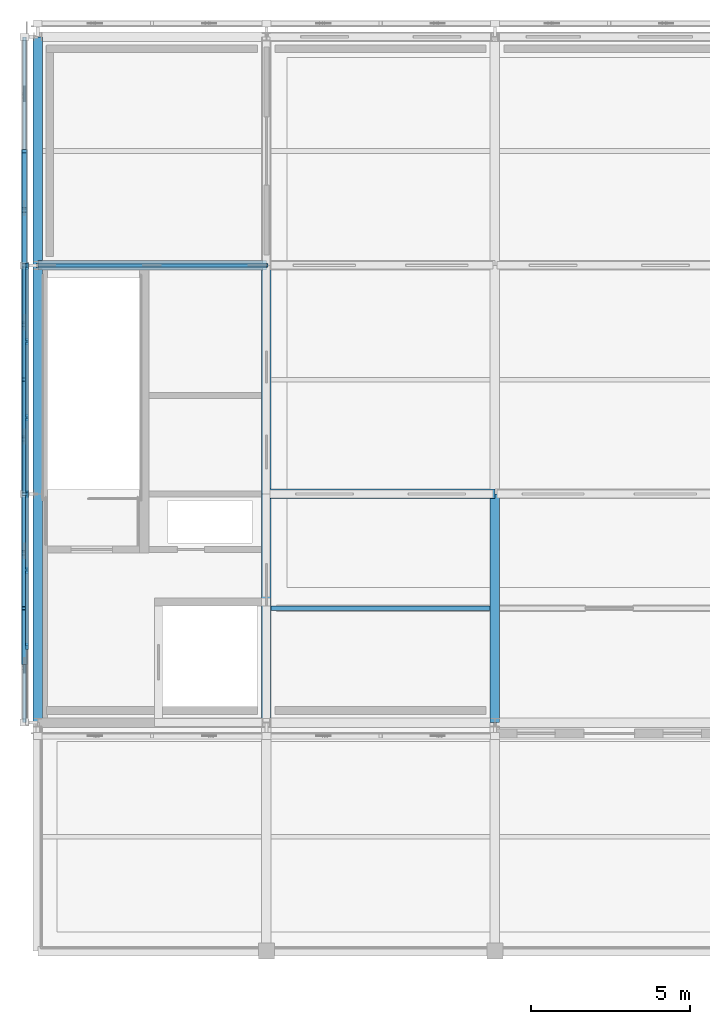
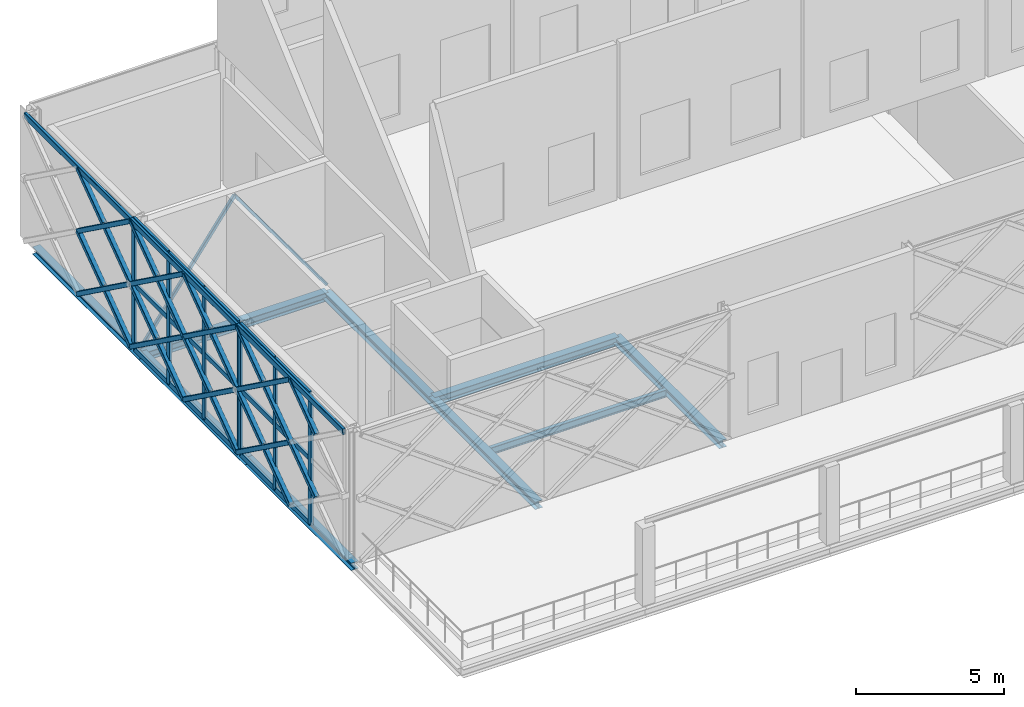
# One storey, part 14 of 31: 53 members, 9 beams, 2 elements without a shape of their own.
"""IFC4 building model written with IfcOpenShell, lengths in metres."""

from ifc_helpers import new_model, si_unit, direction, frame, origin, origin_2d, place, context, subcontext, project, spatial, rectangle, hollow_rectangle, i_section, extrude, material, material_profile, profile_set, type_object, element, aggregate, save


model = new_model("IFC4")

# Units and contexts
model_context = context("Model", 3, precision=1e-05, world=origin(), true_north=direction((0.0, 1.0)))
body_context = subcontext(model_context, "Body", "Model", "MODEL_VIEW")
ifc_project = project(units=[si_unit("LENGTHUNIT", "METRE"), si_unit("AREAUNIT", "SQUARE_METRE"), si_unit("VOLUMEUNIT", "CUBIC_METRE"), si_unit("PLANEANGLEUNIT", "RADIAN"), si_unit("MASSUNIT", "GRAM", prefix="KILO")], contexts=[model_context])

# Site, building, storey
site_placement = place(None, origin())
site = spatial("IfcSite", under=ifc_project, at=site_placement, CompositionType="ELEMENT")
building_placement = place(site_placement, origin())
building = spatial("IfcBuilding", under=site, at=building_placement, Name="Zlatovets Crest Museum", CompositionType="ELEMENT")
storey_placement = place(building_placement, frame((0.0, 0.0, 25.199951171875)))
storey = spatial("IfcBuildingStorey", under=building, at=storey_placement, Name="L05", CompositionType="ELEMENT", Elevation=25.199951171875)

# Beams
ifc_material_1 = material(Name="Structural steel S355J2", Category="steel")
ifc_material_profile_1 = material_profile(ifc_material_1, i_section(OverallWidth=0.300048828125, OverallDepth=0.35009765625, WebThickness=0.010009765625, FlangeThickness=0.017578125, FilletRadius=0.027099609375, at=origin_2d()), Name="HEA 360")
ifc_profile_set_1 = profile_set([ifc_material_profile_1], Name="Structural steel S355J2")
beam_type_1 = type_object("IfcBeamType", Name="Beam_B-03", PredefinedType="BEAM", material=ifc_profile_set_1)
for number, where, z_axis, x_axis, name in (
    (1, (64.800048828125, 100.800048828125, -0.4150390625), (1.0, 0.0, 0.0), (0.0, 1.0, 0.0), "V1 L05 Primary Girder B-03"),
    (2, (57.60009765625, 108.0, -0.4150390625), (1.0, 0.0, 0.0), (0.0, 1.0, 0.0), "V1 L05 Primary Girder B-03"),
):
    element("IfcBeam", number, at=place(storey_placement, frame(where, z_axis=z_axis, x_axis=x_axis)), inside=storey, type_object=beam_type_1, Name=name, PredefinedType="BEAM", context=body_context, shape_type="SweptSolid", body=[
        extrude(i_section(OverallWidth=0.300048828125, OverallDepth=0.35009765625, WebThickness=0.010009765625, FlangeThickness=0.017578125, FilletRadius=0.027099609375, at=origin_2d()), origin(), (0.0, 0.0, 1.0), 7.199951171875),
    ])
ifc_material_profile_2 = material_profile(ifc_material_1, i_section(OverallWidth=0.300048828125, OverallDepth=0.31005859375, WebThickness=0.009033203125, FlangeThickness=0.015380859375, FilletRadius=0.027099609375, at=origin_2d()), Name="HEA 320")
ifc_profile_set_2 = profile_set([ifc_material_profile_2], Name="Structural steel S355J2")
beam_type_2 = type_object("IfcBeamType", Name="Beam_B-04", PredefinedType="BEAM", material=ifc_profile_set_2)
for number, where, z_axis, x_axis, name in (
    (3, (57.60009765625, 93.60009765625, -0.39501953125), (0.0, 1.0, 0.0), (-1.0, 0.0, 0.0), "V1 L05 Grid Beam B-04"),
    (4, (57.60009765625, 100.800048828125, -0.39501953125), (0.0, 1.0, 0.0), (-1.0, 0.0, 0.0), "V1 L05 Grid Beam B-04"),
    (5, (57.60009765625, 108.0, -0.39501953125), (0.0, 1.0, 0.0), (-1.0, 0.0, 0.0), "V1 L05 Grid Beam B-04"),
    (6, (64.800048828125, 93.60009765625, -0.39501953125), (0.0, 1.0, 0.0), (-1.0, 0.0, 0.0), "V1 L05 Grid Beam B-04"),
    (7, (64.800048828125, 100.800048828125, -0.39501953125), (0.0, 1.0, 0.0), (-1.0, 0.0, 0.0), "V1 L05 Grid Beam B-04"),
    (8, (72.0, 93.60009765625, -0.39501953125), (0.0, 1.0, 0.0), (-1.0, 0.0, 0.0), "V1 L05 Grid Beam B-04"),
):
    element("IfcBeam", number, at=place(storey_placement, frame(where, z_axis=z_axis, x_axis=x_axis)), inside=storey, type_object=beam_type_2, Name=name, PredefinedType="BEAM", context=body_context, shape_type="SweptSolid", body=[
        extrude(i_section(OverallWidth=0.300048828125, OverallDepth=0.31005859375, WebThickness=0.009033203125, FlangeThickness=0.015380859375, FilletRadius=0.027099609375, at=origin_2d()), origin(), (0.0, 0.0, 1.0), 7.199951171875),
    ])
ifc_material_profile_3 = material_profile(ifc_material_1, i_section(OverallWidth=0.14990234375, OverallDepth=0.300048828125, WebThickness=0.007080078125, FlangeThickness=0.0107421875, FilletRadius=0.014892578125, at=origin_2d()), Name="IPE 300")
ifc_profile_set_3 = profile_set([ifc_material_profile_3], Name="Structural steel S355J2")
beam_type_3 = type_object("IfcBeamType", Name="Beam_J-02", PredefinedType="JOIST", material=ifc_profile_set_3)
beam_placement = place(storey_placement, frame((64.949951171875, 97.199951171875, -0.389892578125), z_axis=(1.0, 0.0, 0.0), x_axis=(0.0, 1.0, 0.0)))
element("IfcBeam", 9, at=beam_placement, inside=storey, type_object=beam_type_3, Name="V1 L05 Composite Joist J-02", PredefinedType="JOIST", context=body_context, shape_type="SweptSolid", body=[
    extrude(i_section(OverallWidth=0.14990234375, OverallDepth=0.300048828125, WebThickness=0.007080078125, FlangeThickness=0.0107421875, FilletRadius=0.014892578125, at=origin_2d()), origin(), (0.0, 0.0, 1.0), 6.900146484375),
])

# Curtain wall, members
ifc_material_2 = material(Name="Bronze-anodised aluminium and low-E triple glass", Category="aluminium")
curtain_wall_type_1 = type_object("IfcCurtainWallType", Name="CW_CW-V1-L05-M2", PredefinedType="NOTDEFINED", material=ifc_material_2)
curtain_wall_1_placement = place(storey_placement, origin())
curtain_wall_1 = element("IfcCurtainWall", 10, at=curtain_wall_1_placement, inside=storey, type_object=curtain_wall_type_1, Name="V1 L05 Expressed Core Glazed Facade", PredefinedType="NOTDEFINED")
ifc_material_3 = material(Name="Bronze-anodised aluminium EN AW-6060", Category="aluminium")
ifc_material_profile_4 = material_profile(ifc_material_3, rectangle(XDim=0.090087890625, YDim=0.199951171875, at=origin_2d()), Name="ALU 90x200")
ifc_profile_set_4 = profile_set([ifc_material_profile_4], Name="Bronze-anodised aluminium EN AW-6060")
member_type_1 = type_object("IfcMemberType", Name="CWMull_M2", PredefinedType="MULLION", material=ifc_profile_set_4)
member_1_placement = place(storey_placement, frame((57.260009765625, 107.969970703125, 0.0), z_axis=(0.0, 0.0, 1.0), x_axis=(1.0, 0.0, 0.0)))
member_1 = element("IfcMember", 11, at=member_1_placement, type_object=member_type_1, Name="CW-V1-L05-M2 mullion 1", PredefinedType="MULLION", context=body_context, shape_type="SweptSolid", body=[
    extrude(rectangle(XDim=0.090087890625, YDim=0.199951171875, at=origin_2d()), origin(), (0.0, 0.0, 1.0), 5.400146484375),
])
member_2_placement = place(storey_placement, frame((57.260009765625, 105.60009765625, 0.0), z_axis=(0.0, 0.0, 1.0), x_axis=(1.0, 0.0, 0.0)))
member_2 = element("IfcMember", 12, at=member_2_placement, type_object=member_type_1, Name="CW-V1-L05-M2 mullion 2", PredefinedType="MULLION", context=body_context, shape_type="SweptSolid", body=[
    extrude(rectangle(XDim=0.090087890625, YDim=0.199951171875, at=origin_2d()), origin(), (0.0, 0.0, 1.0), 5.400146484375),
])
member_3_placement = place(storey_placement, frame((57.260009765625, 103.199951171875, 0.0), z_axis=(0.0, 0.0, 1.0), x_axis=(1.0, 0.0, 0.0)))
member_3 = element("IfcMember", 13, at=member_3_placement, type_object=member_type_1, Name="CW-V1-L05-M2 mullion 3", PredefinedType="MULLION", context=body_context, shape_type="SweptSolid", body=[
    extrude(rectangle(XDim=0.090087890625, YDim=0.199951171875, at=origin_2d()), origin(), (0.0, 0.0, 1.0), 5.400146484375),
])
member_4_placement = place(storey_placement, frame((57.260009765625, 100.830078125, 0.0), z_axis=(0.0, 0.0, 1.0), x_axis=(1.0, 0.0, 0.0)))
member_4 = element("IfcMember", 14, at=member_4_placement, type_object=member_type_1, Name="CW-V1-L05-M2 mullion 4", PredefinedType="MULLION", context=body_context, shape_type="SweptSolid", body=[
    extrude(rectangle(XDim=0.090087890625, YDim=0.199951171875, at=origin_2d()), origin(), (0.0, 0.0, 1.0), 5.400146484375),
])

curtain_wall_type_2 = type_object("IfcCurtainWallType", Name="CW_CW-V1-L05-M3", PredefinedType="NOTDEFINED", material=ifc_material_2)
curtain_wall_2_placement = place(storey_placement, origin())
curtain_wall_2 = element("IfcCurtainWall", 15, at=curtain_wall_2_placement, inside=storey, type_object=curtain_wall_type_2, Name="V1 L05 Expressed Core Glazed Facade", PredefinedType="NOTDEFINED")
member_5_placement = place(storey_placement, frame((57.260009765625, 100.77001953125, 0.0), z_axis=(0.0, 0.0, 1.0), x_axis=(1.0, 0.0, 0.0)))
member_5 = element("IfcMember", 16, at=member_5_placement, type_object=member_type_1, Name="CW-V1-L05-M3 mullion 1", PredefinedType="MULLION", context=body_context, shape_type="SweptSolid", body=[
    extrude(rectangle(XDim=0.090087890625, YDim=0.199951171875, at=origin_2d()), origin(), (0.0, 0.0, 1.0), 5.400146484375),
])
member_6_placement = place(storey_placement, frame((57.260009765625, 98.39990234375, 0.0), z_axis=(0.0, 0.0, 1.0), x_axis=(1.0, 0.0, 0.0)))
member_6 = element("IfcMember", 17, at=member_6_placement, type_object=member_type_1, Name="CW-V1-L05-M3 mullion 2", PredefinedType="MULLION", context=body_context, shape_type="SweptSolid", body=[
    extrude(rectangle(XDim=0.090087890625, YDim=0.199951171875, at=origin_2d()), origin(), (0.0, 0.0, 1.0), 5.400146484375),
])
member_7_placement = place(storey_placement, frame((57.260009765625, 96.0, 0.0), z_axis=(0.0, 0.0, 1.0), x_axis=(1.0, 0.0, 0.0)))
member_7 = element("IfcMember", 18, at=member_7_placement, type_object=member_type_1, Name="CW-V1-L05-M3 mullion 3", PredefinedType="MULLION", context=body_context, shape_type="SweptSolid", body=[
    extrude(rectangle(XDim=0.090087890625, YDim=0.199951171875, at=origin_2d()), origin(), (0.0, 0.0, 1.0), 5.400146484375),
])

# Member
ifc_material_profile_5 = material_profile(ifc_material_3, rectangle(XDim=0.090087890625, YDim=0.199951171875, at=origin_2d()), Name="ALU 90x200")
ifc_profile_set_5 = profile_set([ifc_material_profile_5], Name="Bronze-anodised aluminium EN AW-6060")
member_type_2 = type_object("IfcMemberType", Name="CWTrans_T2", PredefinedType="USERDEFINED", material=ifc_profile_set_5)
member_8_placement = place(storey_placement, frame((57.260009765625, 107.93994140625, 0.030029296875), z_axis=(0.0, -1.0, 0.0), x_axis=(1.0, 0.0, 0.0)))
member_8 = element("IfcMember", 19, at=member_8_placement, type_object=member_type_2, Name="CW-V1-L05-M2 transom 1.1", ObjectType="TRANSOM", PredefinedType="USERDEFINED", context=body_context, shape_type="SweptSolid", body=[
    extrude(rectangle(XDim=0.090087890625, YDim=0.199951171875, at=origin_2d()), origin(), (0.0, 0.0, 1.0), 2.31005859375),
])

member_9_placement = place(storey_placement, frame((57.260009765625, 107.93994140625, 2.699951171875), z_axis=(0.0, -1.0, 0.0), x_axis=(1.0, 0.0, 0.0)))
member_9 = element("IfcMember", 20, at=member_9_placement, type_object=member_type_2, Name="CW-V1-L05-M2 transom 1.2", ObjectType="TRANSOM", PredefinedType="USERDEFINED", context=body_context, shape_type="SweptSolid", body=[
    extrude(rectangle(XDim=0.090087890625, YDim=0.199951171875, at=origin_2d()), origin(), (0.0, 0.0, 1.0), 2.31005859375),
])

member_10_placement = place(storey_placement, frame((57.260009765625, 107.93994140625, 5.3701171875), z_axis=(0.0, -1.0, 0.0), x_axis=(1.0, 0.0, 0.0)))
member_10 = element("IfcMember", 21, at=member_10_placement, type_object=member_type_2, Name="CW-V1-L05-M2 transom 1.3", ObjectType="TRANSOM", PredefinedType="USERDEFINED", context=body_context, shape_type="SweptSolid", body=[
    extrude(rectangle(XDim=0.090087890625, YDim=0.199951171875, at=origin_2d()), origin(), (0.0, 0.0, 1.0), 2.31005859375),
])

member_11_placement = place(storey_placement, frame((57.260009765625, 105.570068359375, 0.030029296875), z_axis=(0.0, -1.0, 0.0), x_axis=(1.0, 0.0, 0.0)))
member_11 = element("IfcMember", 22, at=member_11_placement, type_object=member_type_2, Name="CW-V1-L05-M2 transom 2.1", ObjectType="TRANSOM", PredefinedType="USERDEFINED", context=body_context, shape_type="SweptSolid", body=[
    extrude(rectangle(XDim=0.090087890625, YDim=0.199951171875, at=origin_2d()), origin(), (0.0, 0.0, 1.0), 2.340087890625),
])

member_12_placement = place(storey_placement, frame((57.260009765625, 105.570068359375, 2.699951171875), z_axis=(0.0, -1.0, 0.0), x_axis=(1.0, 0.0, 0.0)))
member_12 = element("IfcMember", 23, at=member_12_placement, type_object=member_type_2, Name="CW-V1-L05-M2 transom 2.2", ObjectType="TRANSOM", PredefinedType="USERDEFINED", context=body_context, shape_type="SweptSolid", body=[
    extrude(rectangle(XDim=0.090087890625, YDim=0.199951171875, at=origin_2d()), origin(), (0.0, 0.0, 1.0), 2.340087890625),
])

member_13_placement = place(storey_placement, frame((57.260009765625, 105.570068359375, 5.3701171875), z_axis=(0.0, -1.0, 0.0), x_axis=(1.0, 0.0, 0.0)))
member_13 = element("IfcMember", 24, at=member_13_placement, type_object=member_type_2, Name="CW-V1-L05-M2 transom 2.3", ObjectType="TRANSOM", PredefinedType="USERDEFINED", context=body_context, shape_type="SweptSolid", body=[
    extrude(rectangle(XDim=0.090087890625, YDim=0.199951171875, at=origin_2d()), origin(), (0.0, 0.0, 1.0), 2.340087890625),
])

member_14_placement = place(storey_placement, frame((57.260009765625, 103.169921875, 0.030029296875), z_axis=(0.0, -1.0, 0.0), x_axis=(1.0, 0.0, 0.0)))
member_14 = element("IfcMember", 25, at=member_14_placement, type_object=member_type_2, Name="CW-V1-L05-M2 transom 3.1", ObjectType="TRANSOM", PredefinedType="USERDEFINED", context=body_context, shape_type="SweptSolid", body=[
    extrude(rectangle(XDim=0.090087890625, YDim=0.199951171875, at=origin_2d()), origin(), (0.0, 0.0, 1.0), 2.309814453125),
])

member_15_placement = place(storey_placement, frame((57.260009765625, 103.169921875, 2.699951171875), z_axis=(0.0, -1.0, 0.0), x_axis=(1.0, 0.0, 0.0)))
member_15 = element("IfcMember", 26, at=member_15_placement, type_object=member_type_2, Name="CW-V1-L05-M2 transom 3.2", ObjectType="TRANSOM", PredefinedType="USERDEFINED", context=body_context, shape_type="SweptSolid", body=[
    extrude(rectangle(XDim=0.090087890625, YDim=0.199951171875, at=origin_2d()), origin(), (0.0, 0.0, 1.0), 2.309814453125),
])

member_16_placement = place(storey_placement, frame((57.260009765625, 103.169921875, 5.3701171875), z_axis=(0.0, -1.0, 0.0), x_axis=(1.0, 0.0, 0.0)))
member_16 = element("IfcMember", 27, at=member_16_placement, type_object=member_type_2, Name="CW-V1-L05-M2 transom 3.3", ObjectType="TRANSOM", PredefinedType="USERDEFINED", context=body_context, shape_type="SweptSolid", body=[
    extrude(rectangle(XDim=0.090087890625, YDim=0.199951171875, at=origin_2d()), origin(), (0.0, 0.0, 1.0), 2.309814453125),
])

aggregate(curtain_wall_1, [member_1, member_2, member_3, member_4, member_8, member_9, member_10, member_11, member_12, member_13, member_14, member_15, member_16])

member_17_placement = place(storey_placement, frame((57.260009765625, 100.739990234375, 0.030029296875), z_axis=(0.0, -1.0, 0.0), x_axis=(1.0, 0.0, 0.0)))
member_17 = element("IfcMember", 28, at=member_17_placement, type_object=member_type_2, Name="CW-V1-L05-M3 transom 1.1", ObjectType="TRANSOM", PredefinedType="USERDEFINED", context=body_context, shape_type="SweptSolid", body=[
    extrude(rectangle(XDim=0.090087890625, YDim=0.199951171875, at=origin_2d()), origin(), (0.0, 0.0, 1.0), 2.31005859375),
])

member_18_placement = place(storey_placement, frame((57.260009765625, 100.739990234375, 2.699951171875), z_axis=(0.0, -1.0, 0.0), x_axis=(1.0, 0.0, 0.0)))
member_18 = element("IfcMember", 29, at=member_18_placement, type_object=member_type_2, Name="CW-V1-L05-M3 transom 1.2", ObjectType="TRANSOM", PredefinedType="USERDEFINED", context=body_context, shape_type="SweptSolid", body=[
    extrude(rectangle(XDim=0.090087890625, YDim=0.199951171875, at=origin_2d()), origin(), (0.0, 0.0, 1.0), 2.31005859375),
])

member_19_placement = place(storey_placement, frame((57.260009765625, 100.739990234375, 5.3701171875), z_axis=(0.0, -1.0, 0.0), x_axis=(1.0, 0.0, 0.0)))
member_19 = element("IfcMember", 30, at=member_19_placement, type_object=member_type_2, Name="CW-V1-L05-M3 transom 1.3", ObjectType="TRANSOM", PredefinedType="USERDEFINED", context=body_context, shape_type="SweptSolid", body=[
    extrude(rectangle(XDim=0.090087890625, YDim=0.199951171875, at=origin_2d()), origin(), (0.0, 0.0, 1.0), 2.31005859375),
])

member_20_placement = place(storey_placement, frame((57.260009765625, 98.3701171875, 0.030029296875), z_axis=(0.0, -1.0, 0.0), x_axis=(1.0, 0.0, 0.0)))
member_20 = element("IfcMember", 31, at=member_20_placement, type_object=member_type_2, Name="CW-V1-L05-M3 transom 2.1", ObjectType="TRANSOM", PredefinedType="USERDEFINED", context=body_context, shape_type="SweptSolid", body=[
    extrude(rectangle(XDim=0.090087890625, YDim=0.199951171875, at=origin_2d()), origin(), (0.0, 0.0, 1.0), 2.340087890625),
])

member_21_placement = place(storey_placement, frame((57.260009765625, 98.3701171875, 2.699951171875), z_axis=(0.0, -1.0, 0.0), x_axis=(1.0, 0.0, 0.0)))
member_21 = element("IfcMember", 32, at=member_21_placement, type_object=member_type_2, Name="CW-V1-L05-M3 transom 2.2", ObjectType="TRANSOM", PredefinedType="USERDEFINED", context=body_context, shape_type="SweptSolid", body=[
    extrude(rectangle(XDim=0.090087890625, YDim=0.199951171875, at=origin_2d()), origin(), (0.0, 0.0, 1.0), 2.340087890625),
])

member_22_placement = place(storey_placement, frame((57.260009765625, 98.3701171875, 5.3701171875), z_axis=(0.0, -1.0, 0.0), x_axis=(1.0, 0.0, 0.0)))
member_22 = element("IfcMember", 33, at=member_22_placement, type_object=member_type_2, Name="CW-V1-L05-M3 transom 2.3", ObjectType="TRANSOM", PredefinedType="USERDEFINED", context=body_context, shape_type="SweptSolid", body=[
    extrude(rectangle(XDim=0.090087890625, YDim=0.199951171875, at=origin_2d()), origin(), (0.0, 0.0, 1.0), 2.340087890625),
])

aggregate(curtain_wall_2, [member_5, member_6, member_7, member_17, member_18, member_19, member_20, member_21, member_22])

# Members
ifc_material_4 = material(Name="Weathering bronze-steel S355J2W", Category="steel")
ifc_material_profile_6 = material_profile(ifc_material_4, hollow_rectangle(XDim=0.179931640625, YDim=0.179931640625, WallThickness=0.010009765625, InnerFilletRadius=0.010009765625, OuterFilletRadius=0.02001953125, at=origin_2d()), Name="SHS 180x180x10.0")
ifc_profile_set_6 = profile_set([ifc_material_profile_6], Name="Weathering bronze-steel S355J2W")
member_type_3 = type_object("IfcMemberType", Name="Lattice_XL-01", PredefinedType="BRACE", material=ifc_profile_set_6)
member_23_placement = place(storey_placement, frame((57.179931640625, 111.60009765625, 0.10009765625), z_axis=(0.0, -0.810702423259, 0.585458436545), x_axis=(1.0, 0.0, 0.0)))
element("IfcMember", 34, at=member_23_placement, inside=storey, type_object=member_type_3, Name="Continuous Bronze Lattice Diagonal", PredefinedType="BRACE", context=body_context, shape_type="SweptSolid", body=[
    extrude(hollow_rectangle(XDim=0.179931640625, YDim=0.179931640625, WallThickness=0.010009765625, InnerFilletRadius=0.010009765625, OuterFilletRadius=0.02001953125, at=origin_2d()), origin(), (0.0, 0.0, 1.0), 4.440673828125),
])
member_24_placement = place(storey_placement, frame((57.179931640625, 111.60009765625, 2.699951171875), z_axis=(0.0, -0.810703458452, -0.585457003079), x_axis=(1.0, 0.0, 0.0)))
element("IfcMember", 35, at=member_24_placement, inside=storey, type_object=member_type_3, Name="Split Crossing Bronze Lattice Diagonal Upper", PredefinedType="BRACE", context=body_context, shape_type="SweptSolid", body=[
    extrude(hollow_rectangle(XDim=0.179931640625, YDim=0.179931640625, WallThickness=0.010009765625, InnerFilletRadius=0.010009765625, OuterFilletRadius=0.02001953125, at=origin_2d()), origin(), (0.0, 0.0, 1.0), 2.12548828125),
])
member_25_placement = place(storey_placement, frame((57.179931640625, 109.722900390625, 1.344482421875), z_axis=(0.0, -0.810664082502, -0.585511524516), x_axis=(1.0, 0.0, 0.0)))
element("IfcMember", 36, at=member_25_placement, inside=storey, type_object=member_type_3, Name="Split Crossing Bronze Lattice Diagonal Lower", PredefinedType="BRACE", context=body_context, shape_type="SweptSolid", body=[
    extrude(hollow_rectangle(XDim=0.179931640625, YDim=0.179931640625, WallThickness=0.010009765625, InnerFilletRadius=0.010009765625, OuterFilletRadius=0.02001953125, at=origin_2d()), origin(), (0.0, 0.0, 1.0), 2.125244140625),
])
member_26_placement = place(storey_placement, frame((57.179931640625, 111.60009765625, 2.699951171875), z_axis=(0.0, -0.810676329046, 0.585494568313), x_axis=(1.0, 0.0, 0.0)))
element("IfcMember", 37, at=member_26_placement, inside=storey, type_object=member_type_3, Name="Continuous Bronze Lattice Diagonal", PredefinedType="BRACE", context=body_context, shape_type="SweptSolid", body=[
    extrude(hollow_rectangle(XDim=0.179931640625, YDim=0.179931640625, WallThickness=0.010009765625, InnerFilletRadius=0.010009765625, OuterFilletRadius=0.02001953125, at=origin_2d()), origin(), (0.0, 0.0, 1.0), 4.44091796875),
])
member_27_placement = place(storey_placement, frame((57.179931640625, 111.60009765625, 5.300048828125), z_axis=(0.0, -0.810703458452, -0.585457003079), x_axis=(1.0, 0.0, 0.0)))
element("IfcMember", 38, at=member_27_placement, inside=storey, type_object=member_type_3, Name="Split Crossing Bronze Lattice Diagonal Upper", PredefinedType="BRACE", context=body_context, shape_type="SweptSolid", body=[
    extrude(hollow_rectangle(XDim=0.179931640625, YDim=0.179931640625, WallThickness=0.010009765625, InnerFilletRadius=0.010009765625, OuterFilletRadius=0.02001953125, at=origin_2d()), origin(), (0.0, 0.0, 1.0), 2.12548828125),
])
member_28_placement = place(storey_placement, frame((57.179931640625, 109.722900390625, 3.9443359375), z_axis=(0.0, -0.810664082502, -0.585511524516), x_axis=(1.0, 0.0, 0.0)))
element("IfcMember", 39, at=member_28_placement, inside=storey, type_object=member_type_3, Name="Split Crossing Bronze Lattice Diagonal Lower", PredefinedType="BRACE", context=body_context, shape_type="SweptSolid", body=[
    extrude(hollow_rectangle(XDim=0.179931640625, YDim=0.179931640625, WallThickness=0.010009765625, InnerFilletRadius=0.010009765625, OuterFilletRadius=0.02001953125, at=origin_2d()), origin(), (0.0, 0.0, 1.0), 2.125244140625),
])
member_29_placement = place(storey_placement, frame((57.179931640625, 108.0, 0.10009765625), z_axis=(0.0, -0.810702423259, 0.585458436545), x_axis=(1.0, 0.0, 0.0)))
element("IfcMember", 40, at=member_29_placement, inside=storey, type_object=member_type_3, Name="Continuous Bronze Lattice Diagonal", PredefinedType="BRACE", context=body_context, shape_type="SweptSolid", body=[
    extrude(hollow_rectangle(XDim=0.179931640625, YDim=0.179931640625, WallThickness=0.010009765625, InnerFilletRadius=0.010009765625, OuterFilletRadius=0.02001953125, at=origin_2d()), origin(), (0.0, 0.0, 1.0), 4.440673828125),
])
member_30_placement = place(storey_placement, frame((57.179931640625, 108.0, 2.699951171875), z_axis=(0.0, -0.810664082502, -0.585511524516), x_axis=(1.0, 0.0, 0.0)))
element("IfcMember", 41, at=member_30_placement, inside=storey, type_object=member_type_3, Name="Split Crossing Bronze Lattice Diagonal Upper", PredefinedType="BRACE", context=body_context, shape_type="SweptSolid", body=[
    extrude(hollow_rectangle(XDim=0.179931640625, YDim=0.179931640625, WallThickness=0.010009765625, InnerFilletRadius=0.010009765625, OuterFilletRadius=0.02001953125, at=origin_2d()), origin(), (0.0, 0.0, 1.0), 2.125244140625),
])
member_31_placement = place(storey_placement, frame((57.179931640625, 106.123046875, 1.344482421875), z_axis=(0.0, -0.810703458452, -0.585457003079), x_axis=(1.0, 0.0, 0.0)))
element("IfcMember", 42, at=member_31_placement, inside=storey, type_object=member_type_3, Name="Split Crossing Bronze Lattice Diagonal Lower", PredefinedType="BRACE", context=body_context, shape_type="SweptSolid", body=[
    extrude(hollow_rectangle(XDim=0.179931640625, YDim=0.179931640625, WallThickness=0.010009765625, InnerFilletRadius=0.010009765625, OuterFilletRadius=0.02001953125, at=origin_2d()), origin(), (0.0, 0.0, 1.0), 2.12548828125),
])
member_32_placement = place(storey_placement, frame((57.179931640625, 104.39990234375, 0.10009765625), z_axis=(0.0, -0.810683577727, 0.585484531652), x_axis=(1.0, 0.0, 0.0)))
element("IfcMember", 43, at=member_32_placement, inside=storey, type_object=member_type_3, Name="Continuous Bronze Lattice Diagonal", PredefinedType="BRACE", context=body_context, shape_type="SweptSolid", body=[
    extrude(hollow_rectangle(XDim=0.179931640625, YDim=0.179931640625, WallThickness=0.010009765625, InnerFilletRadius=0.010009765625, OuterFilletRadius=0.02001953125, at=origin_2d()), origin(), (0.0, 0.0, 1.0), 4.4404296875),
])
for number, where, z_axis, x_axis, name in (
    (44, (57.179931640625, 104.39990234375, 2.699951171875), (0.0, -0.810664082502, -0.585511524516), (1.0, 0.0, 0.0), "Split Crossing Bronze Lattice Diagonal Upper"),
    (45, (57.179931640625, 102.52294921875, 1.344482421875), (0.0, -0.810664082502, -0.585511524516), (1.0, 0.0, 0.0), "Split Crossing Bronze Lattice Diagonal Lower"),
):
    element("IfcMember", number, at=place(storey_placement, frame(where, z_axis=z_axis, x_axis=x_axis)), inside=storey, type_object=member_type_3, Name=name, PredefinedType="BRACE", context=body_context, shape_type="SweptSolid", body=[
        extrude(hollow_rectangle(XDim=0.179931640625, YDim=0.179931640625, WallThickness=0.010009765625, InnerFilletRadius=0.010009765625, OuterFilletRadius=0.02001953125, at=origin_2d()), origin(), (0.0, 0.0, 1.0), 2.125244140625),
    ])
member_33_placement = place(storey_placement, frame((57.179931640625, 108.0, 2.699951171875), z_axis=(0.0, -0.810676329046, 0.585494568313), x_axis=(1.0, 0.0, 0.0)))
element("IfcMember", 46, at=member_33_placement, inside=storey, type_object=member_type_3, Name="Continuous Bronze Lattice Diagonal", PredefinedType="BRACE", context=body_context, shape_type="SweptSolid", body=[
    extrude(hollow_rectangle(XDim=0.179931640625, YDim=0.179931640625, WallThickness=0.010009765625, InnerFilletRadius=0.010009765625, OuterFilletRadius=0.02001953125, at=origin_2d()), origin(), (0.0, 0.0, 1.0), 4.44091796875),
])
member_34_placement = place(storey_placement, frame((57.179931640625, 108.0, 5.300048828125), z_axis=(0.0, -0.810664082502, -0.585511524516), x_axis=(1.0, 0.0, 0.0)))
element("IfcMember", 47, at=member_34_placement, inside=storey, type_object=member_type_3, Name="Split Crossing Bronze Lattice Diagonal Upper", PredefinedType="BRACE", context=body_context, shape_type="SweptSolid", body=[
    extrude(hollow_rectangle(XDim=0.179931640625, YDim=0.179931640625, WallThickness=0.010009765625, InnerFilletRadius=0.010009765625, OuterFilletRadius=0.02001953125, at=origin_2d()), origin(), (0.0, 0.0, 1.0), 2.125244140625),
])
member_35_placement = place(storey_placement, frame((57.179931640625, 106.123046875, 3.9443359375), z_axis=(0.0, -0.810703458452, -0.585457003079), x_axis=(1.0, 0.0, 0.0)))
element("IfcMember", 48, at=member_35_placement, inside=storey, type_object=member_type_3, Name="Split Crossing Bronze Lattice Diagonal Lower", PredefinedType="BRACE", context=body_context, shape_type="SweptSolid", body=[
    extrude(hollow_rectangle(XDim=0.179931640625, YDim=0.179931640625, WallThickness=0.010009765625, InnerFilletRadius=0.010009765625, OuterFilletRadius=0.02001953125, at=origin_2d()), origin(), (0.0, 0.0, 1.0), 2.12548828125),
])
member_36_placement = place(storey_placement, frame((57.179931640625, 104.39990234375, 2.699951171875), z_axis=(0.0, -0.810657481794, 0.585520663351), x_axis=(1.0, 0.0, 0.0)))
element("IfcMember", 49, at=member_36_placement, inside=storey, type_object=member_type_3, Name="Continuous Bronze Lattice Diagonal", PredefinedType="BRACE", context=body_context, shape_type="SweptSolid", body=[
    extrude(hollow_rectangle(XDim=0.179931640625, YDim=0.179931640625, WallThickness=0.010009765625, InnerFilletRadius=0.010009765625, OuterFilletRadius=0.02001953125, at=origin_2d()), origin(), (0.0, 0.0, 1.0), 4.440673828125),
])
for number, where, z_axis, x_axis, name in (
    (50, (57.179931640625, 104.39990234375, 5.300048828125), (0.0, -0.810664082502, -0.585511524516), (1.0, 0.0, 0.0), "Split Crossing Bronze Lattice Diagonal Upper"),
    (51, (57.179931640625, 102.52294921875, 3.9443359375), (0.0, -0.810664082502, -0.585511524516), (1.0, 0.0, 0.0), "Split Crossing Bronze Lattice Diagonal Lower"),
):
    element("IfcMember", number, at=place(storey_placement, frame(where, z_axis=z_axis, x_axis=x_axis)), inside=storey, type_object=member_type_3, Name=name, PredefinedType="BRACE", context=body_context, shape_type="SweptSolid", body=[
        extrude(hollow_rectangle(XDim=0.179931640625, YDim=0.179931640625, WallThickness=0.010009765625, InnerFilletRadius=0.010009765625, OuterFilletRadius=0.02001953125, at=origin_2d()), origin(), (0.0, 0.0, 1.0), 2.125244140625),
    ])
member_37_placement = place(storey_placement, frame((57.179931640625, 100.800048828125, 0.10009765625), z_axis=(0.0, -0.810702423259, 0.585458436545), x_axis=(1.0, 0.0, 0.0)))
element("IfcMember", 52, at=member_37_placement, inside=storey, type_object=member_type_3, Name="Continuous Bronze Lattice Diagonal", PredefinedType="BRACE", context=body_context, shape_type="SweptSolid", body=[
    extrude(hollow_rectangle(XDim=0.179931640625, YDim=0.179931640625, WallThickness=0.010009765625, InnerFilletRadius=0.010009765625, OuterFilletRadius=0.02001953125, at=origin_2d()), origin(), (0.0, 0.0, 1.0), 4.440673828125),
])
for number, where, z_axis, x_axis, name in (
    (53, (57.179931640625, 100.800048828125, 2.699951171875), (0.0, -0.810703458452, -0.585457003079), (1.0, 0.0, 0.0), "Split Crossing Bronze Lattice Diagonal Upper"),
    (54, (57.179931640625, 98.923095703125, 1.344482421875), (0.0, -0.810703458452, -0.585457003079), (1.0, 0.0, 0.0), "Split Crossing Bronze Lattice Diagonal Lower"),
):
    element("IfcMember", number, at=place(storey_placement, frame(where, z_axis=z_axis, x_axis=x_axis)), inside=storey, type_object=member_type_3, Name=name, PredefinedType="BRACE", context=body_context, shape_type="SweptSolid", body=[
        extrude(hollow_rectangle(XDim=0.179931640625, YDim=0.179931640625, WallThickness=0.010009765625, InnerFilletRadius=0.010009765625, OuterFilletRadius=0.02001953125, at=origin_2d()), origin(), (0.0, 0.0, 1.0), 2.12548828125),
    ])
member_38_placement = place(storey_placement, frame((57.179931640625, 97.199951171875, 2.699951171875), z_axis=(0.0, -0.810664082502, -0.585511524516), x_axis=(1.0, 0.0, 0.0)))
element("IfcMember", 55, at=member_38_placement, inside=storey, type_object=member_type_3, Name="Split Crossing Bronze Lattice Diagonal Upper", PredefinedType="BRACE", context=body_context, shape_type="SweptSolid", body=[
    extrude(hollow_rectangle(XDim=0.179931640625, YDim=0.179931640625, WallThickness=0.010009765625, InnerFilletRadius=0.010009765625, OuterFilletRadius=0.02001953125, at=origin_2d()), origin(), (0.0, 0.0, 1.0), 2.125244140625),
])
member_39_placement = place(storey_placement, frame((57.179931640625, 100.800048828125, 2.699951171875), z_axis=(0.0, -0.810676329046, 0.585494568313), x_axis=(1.0, 0.0, 0.0)))
element("IfcMember", 56, at=member_39_placement, inside=storey, type_object=member_type_3, Name="Continuous Bronze Lattice Diagonal", PredefinedType="BRACE", context=body_context, shape_type="SweptSolid", body=[
    extrude(hollow_rectangle(XDim=0.179931640625, YDim=0.179931640625, WallThickness=0.010009765625, InnerFilletRadius=0.010009765625, OuterFilletRadius=0.02001953125, at=origin_2d()), origin(), (0.0, 0.0, 1.0), 4.44091796875),
])
for number, where, z_axis, x_axis, name in (
    (57, (57.179931640625, 100.800048828125, 5.300048828125), (0.0, -0.810703458452, -0.585457003079), (1.0, 0.0, 0.0), "Split Crossing Bronze Lattice Diagonal Upper"),
    (58, (57.179931640625, 98.923095703125, 3.9443359375), (0.0, -0.810703458452, -0.585457003079), (1.0, 0.0, 0.0), "Split Crossing Bronze Lattice Diagonal Lower"),
):
    element("IfcMember", number, at=place(storey_placement, frame(where, z_axis=z_axis, x_axis=x_axis)), inside=storey, type_object=member_type_3, Name=name, PredefinedType="BRACE", context=body_context, shape_type="SweptSolid", body=[
        extrude(hollow_rectangle(XDim=0.179931640625, YDim=0.179931640625, WallThickness=0.010009765625, InnerFilletRadius=0.010009765625, OuterFilletRadius=0.02001953125, at=origin_2d()), origin(), (0.0, 0.0, 1.0), 2.12548828125),
    ])
member_40_placement = place(storey_placement, frame((57.179931640625, 97.199951171875, 5.300048828125), z_axis=(0.0, -0.810664082502, -0.585511524516), x_axis=(1.0, 0.0, 0.0)))
element("IfcMember", 59, at=member_40_placement, inside=storey, type_object=member_type_3, Name="Split Crossing Bronze Lattice Diagonal Upper", PredefinedType="BRACE", context=body_context, shape_type="SweptSolid", body=[
    extrude(hollow_rectangle(XDim=0.179931640625, YDim=0.179931640625, WallThickness=0.010009765625, InnerFilletRadius=0.010009765625, OuterFilletRadius=0.02001953125, at=origin_2d()), origin(), (0.0, 0.0, 1.0), 2.125244140625),
])
ifc_material_profile_7 = material_profile(ifc_material_4, hollow_rectangle(XDim=0.1201171875, YDim=0.239990234375, WallThickness=0.010009765625, InnerFilletRadius=0.010009765625, OuterFilletRadius=0.02001953125, at=origin_2d()), Name="RHS 120x240x10.0")
ifc_profile_set_7 = profile_set([ifc_material_profile_7], Name="Weathering bronze-steel S355J2W")
member_type_4 = type_object("IfcMemberType", Name="Lattice_XL-04", PredefinedType="CHORD", material=ifc_profile_set_7)
for number, where, z_axis, x_axis, name in (
    (60, (57.179931640625, 115.199951171875, 5.300048828125), (0.0, -1.0, 0.0), (1.0, 0.0, 0.0), "Art Nouveau Woven Cage Collector Ring Chord"),
    (61, (57.179931640625, 108.0, 5.300048828125), (0.0, -1.0, 0.0), (1.0, 0.0, 0.0), "Art Nouveau Woven Cage Collector Ring Chord"),
    (62, (57.179931640625, 100.800048828125, 5.300048828125), (0.0, -1.0, 0.0), (1.0, 0.0, 0.0), "Art Nouveau Woven Cage Collector Ring Chord"),
):
    element("IfcMember", number, at=place(storey_placement, frame(where, z_axis=z_axis, x_axis=x_axis)), inside=storey, type_object=member_type_4, Name=name, PredefinedType="CHORD", context=body_context, shape_type="SweptSolid", body=[
        extrude(hollow_rectangle(XDim=0.1201171875, YDim=0.239990234375, WallThickness=0.010009765625, InnerFilletRadius=0.010009765625, OuterFilletRadius=0.02001953125, at=origin_2d()), origin(), (0.0, 0.0, 1.0), 7.199951171875),
    ])
ifc_material_profile_8 = material_profile(ifc_material_1, hollow_rectangle(XDim=0.1201171875, YDim=0.1201171875, WallThickness=0.008056640625, InnerFilletRadius=0.008056640625, OuterFilletRadius=0.01611328125, at=origin_2d()), Name="SHS 120x120x8.0")
ifc_profile_set_8 = profile_set([ifc_material_profile_8], Name="Structural steel S355J2")
member_type_5 = type_object("IfcMemberType", Name="Member_BR-05", PredefinedType="BRACE", material=ifc_profile_set_8)
for number, where, z_axis, x_axis, name in (
    (63, (57.60009765625, 108.0, 0.0), (0.58815983879, 0.0, 0.808744708814), (0.0, 1.0, 0.0), "V1 L05 Concentric Seismic Brace"),
    (64, (64.800048828125, 108.0, 0.0), (-0.588185927837, 0.0, 0.808725734903), (0.0, -1.0, 0.0), "V1 L05 Concentric Seismic Brace"),
):
    element("IfcMember", number, at=place(storey_placement, frame(where, z_axis=z_axis, x_axis=x_axis)), inside=storey, type_object=member_type_5, Name=name, PredefinedType="BRACE", context=body_context, shape_type="SweptSolid", body=[
        extrude(hollow_rectangle(XDim=0.1201171875, YDim=0.1201171875, WallThickness=0.008056640625, InnerFilletRadius=0.008056640625, OuterFilletRadius=0.01611328125, at=origin_2d()), origin(), (0.0, 0.0, 1.0), 6.12060546875),
    ])

save(model, "model.ifc")
